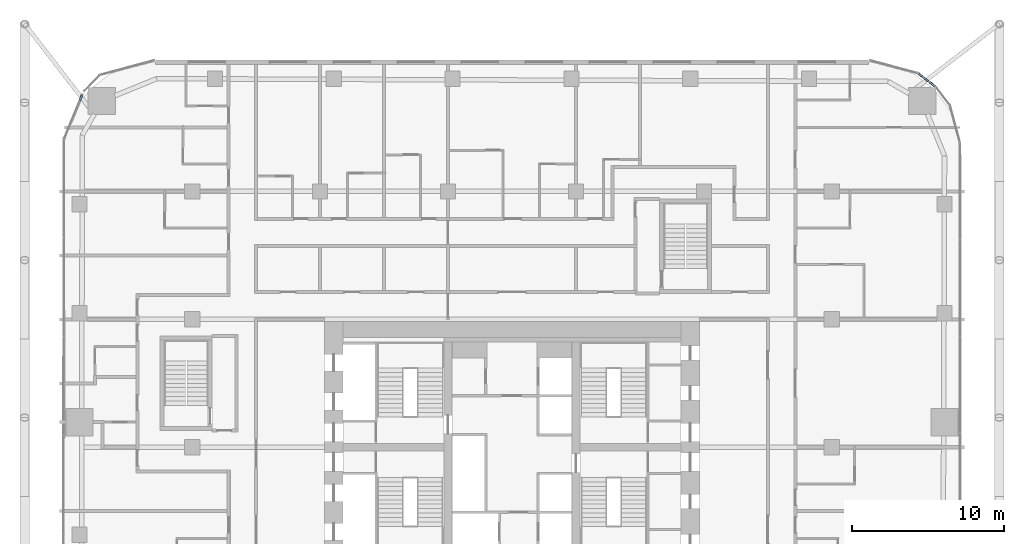
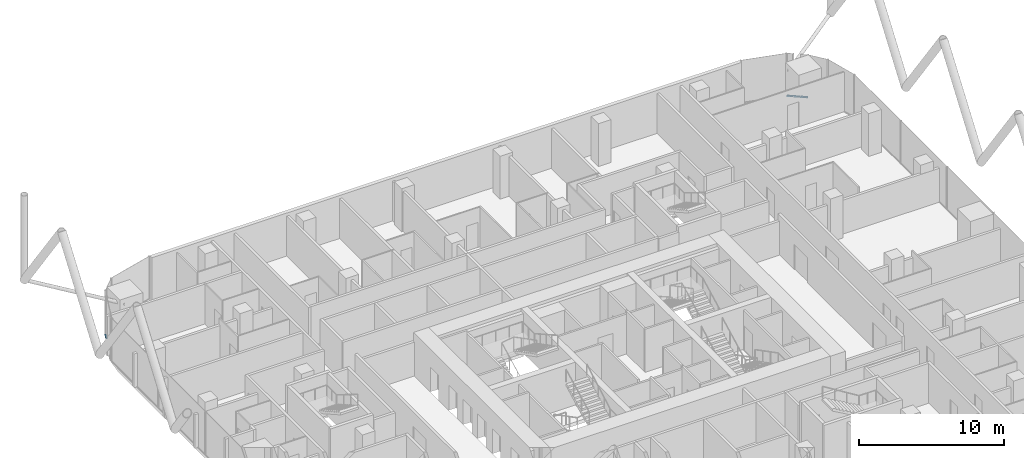
# One storey, part 17 of 35: 4 members, 4 elements without a shape of their own.
"""IFC4 building model written with IfcOpenShell, lengths in metres."""

from ifc_helpers import new_model, si_unit, direction, frame, origin, origin_2d, place, context, subcontext, project, spatial, rectangle, extrude, material, layer, layer_set, material_profile, profile_set, type_object, element, aggregate, save


model = new_model("IFC4")

# Units and contexts
model_context = context("Model", 3, precision=1e-05, world=origin(), true_north=direction((0.0, 1.0)))
body_context = subcontext(model_context, "Body", "Model", "MODEL_VIEW")
ifc_project = project(units=[si_unit("LENGTHUNIT", "METRE"), si_unit("AREAUNIT", "SQUARE_METRE"), si_unit("VOLUMEUNIT", "CUBIC_METRE"), si_unit("PLANEANGLEUNIT", "RADIAN"), si_unit("MASSUNIT", "GRAM", prefix="KILO")], contexts=[model_context])

# Site, building, storey
site_placement = place(None, origin())
site = spatial("IfcSite", under=ifc_project, at=site_placement, CompositionType="ELEMENT")
building_placement = place(site_placement, origin())
building = spatial("IfcBuilding", under=site, at=building_placement, Name="Marenta Gate Hotel Tower", CompositionType="ELEMENT")
storey_placement = place(building_placement, frame((0.0, 0.0, 61.699951171875)))
storey = spatial("IfcBuildingStorey", under=building, at=storey_placement, Name="L13", CompositionType="ELEMENT", Elevation=61.699951171875)

# Curtain wall, member
ifc_material_1 = material(Name="Tinted insulated glass in bronze anodised frame", Category="glass")
ifc_layer = layer(ifc_material_1, 0.1201171875)
ifc_layer_set = layer_set([ifc_layer], Name="Tinted insulated glass in bronze anodised frame")
curtain_wall_type = type_object("IfcCurtainWallType", Name="Tower unitised curtain wall CW1", PredefinedType="NOTDEFINED", material=ifc_layer_set)
curtain_wall_1_placement = place(storey_placement, origin())
curtain_wall_1 = element("IfcCurtainWall", 1, at=curtain_wall_1_placement, inside=storey, type_object=curtain_wall_type, Name="CW1 run G02", PredefinedType="NOTDEFINED")
ifc_material_2 = material(Name="Bronze anodised aluminium", Category="aluminium")
ifc_material_profile = material_profile(ifc_material_2, rectangle(XDim=0.1201171875, YDim=0.06005859375, at=origin_2d()), Name="Transom CW1 60x120 bronze anodised aluminium")
ifc_profile_set = profile_set([ifc_material_profile], Name="Bronze anodised aluminium")
member_type = type_object("IfcMemberType", Name="Transom CW1 60x120 bronze anodised aluminium", PredefinedType="USERDEFINED", material=ifc_profile_set)
member_1_placement = place(storey_placement, frame((-28.208984375, 31.5712890625, 0.030029296875), z_axis=(-0.382927081121, -0.923778572248, 0.0), x_axis=(0.923778572248, -0.382927081121, 0.0)))
member_1 = element("IfcMember", 2, at=member_1_placement, type_object=member_type, Name="CW1 transom 1.1", ObjectType="TRANSOM", PredefinedType="USERDEFINED", context=body_context, shape_type="SweptSolid", body=[
    extrude(rectangle(XDim=0.1201171875, YDim=0.06005859375, at=origin_2d()), origin(), (0.0, 0.0, 1.0), 0.462158203125),
])
aggregate(curtain_wall_1, [member_1])

curtain_wall_2_placement = place(storey_placement, origin())
curtain_wall_2 = element("IfcCurtainWall", 3, at=curtain_wall_2_placement, inside=storey, type_object=curtain_wall_type, Name="CW1 run G21", PredefinedType="NOTDEFINED")
member_2_placement = place(storey_placement, frame((27.7978515625, 32.08203125, 0.030029296875), z_axis=(-0.793224248978, 0.60892962716, 0.0), x_axis=(-0.60892962716, -0.793224248978, 0.0)))
member_2 = element("IfcMember", 4, at=member_2_placement, type_object=member_type, Name="CW1 transom 1.1", ObjectType="TRANSOM", PredefinedType="USERDEFINED", context=body_context, shape_type="SweptSolid", body=[
    extrude(rectangle(XDim=0.1201171875, YDim=0.06005859375, at=origin_2d()), origin(), (0.0, 0.0, 1.0), 0.483642578125),
])
aggregate(curtain_wall_2, [member_2])

curtain_wall_3_placement = place(storey_placement, origin())
curtain_wall_3 = element("IfcCurtainWall", 5, at=curtain_wall_3_placement, inside=storey, type_object=curtain_wall_type, Name="CW1 run G22", PredefinedType="NOTDEFINED")
member_3_placement = place(storey_placement, frame((27.36669921875, 32.412841796875, 0.030029296875), z_axis=(-0.793356294792, 0.608757578609, 0.0), x_axis=(-0.608757578609, -0.793356294792, 0.0)))
member_3 = element("IfcMember", 6, at=member_3_placement, type_object=member_type, Name="CW1 transom 1.1", ObjectType="TRANSOM", PredefinedType="USERDEFINED", context=body_context, shape_type="SweptSolid", body=[
    extrude(rectangle(XDim=0.1201171875, YDim=0.06005859375, at=origin_2d()), origin(), (0.0, 0.0, 1.0), 0.40869140625),
])
aggregate(curtain_wall_3, [member_3])

curtain_wall_4_placement = place(storey_placement, origin())
curtain_wall_4 = element("IfcCurtainWall", 7, at=curtain_wall_4_placement, inside=storey, type_object=curtain_wall_type, Name="CW1 run G23", PredefinedType="NOTDEFINED")
member_4_placement = place(storey_placement, frame((26.994873046875, 32.6982421875, 0.030029296875), z_axis=(-0.793256562422, 0.60888753163, 0.0), x_axis=(-0.60888753163, -0.793256562422, 0.0)))
member_4 = element("IfcMember", 8, at=member_4_placement, type_object=member_type, Name="CW1 transom 1.1", ObjectType="TRANSOM", PredefinedType="USERDEFINED", context=body_context, shape_type="SweptSolid", body=[
    extrude(rectangle(XDim=0.1201171875, YDim=0.06005859375, at=origin_2d()), origin(), (0.0, 0.0, 1.0), 0.415771484375),
])
aggregate(curtain_wall_4, [member_4])

save(model, "model.ifc")
